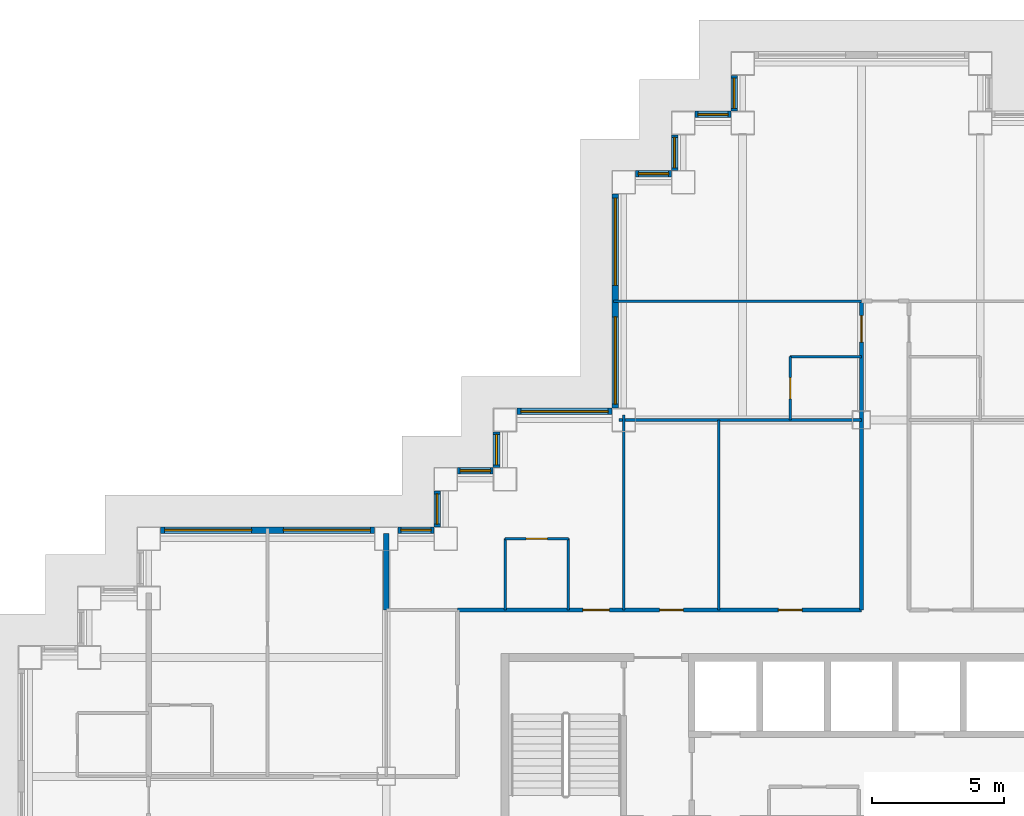
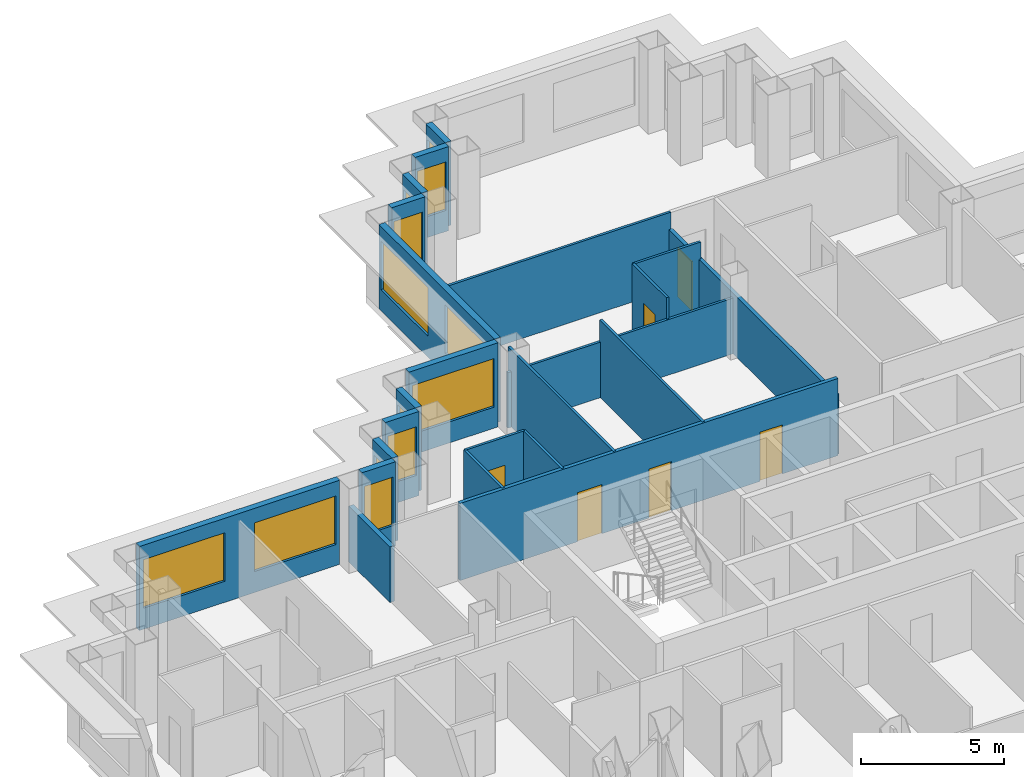
# One storey, part 8 of 15: 23 walls, 13 windows, 6 doors, 19 openings.
"""IFC4 building model written with IfcOpenShell, lengths in metres."""

from ifc_helpers import new_model, si_unit, direction, frame, frame_2d, origin, place, context, subcontext, project, spatial, rectangle, extrude, material, layer, layer_set, type_object, element, fill, save


model = new_model("IFC4")

# Units and contexts
model_context = context("Model", 3, precision=1e-05, world=origin(), true_north=direction((0.0, 1.0)))
body_context = subcontext(model_context, "Body", "Model", "MODEL_VIEW")
ifc_project = project(units=[si_unit("LENGTHUNIT", "METRE"), si_unit("AREAUNIT", "SQUARE_METRE"), si_unit("VOLUMEUNIT", "CUBIC_METRE"), si_unit("PLANEANGLEUNIT", "RADIAN"), si_unit("MASSUNIT", "GRAM", prefix="KILO")], contexts=[model_context])

# Site, building, storey
site_placement = place(None, origin())
site = spatial("IfcSite", under=ifc_project, at=site_placement, CompositionType="ELEMENT")
building_placement = place(site_placement, origin())
building = spatial("IfcBuilding", under=site, at=building_placement, Name="Caravel Reach Hotel and Residences", CompositionType="ELEMENT")
storey_placement = place(building_placement, frame((0.0, 0.0, 104.39990234375)))
storey = spatial("IfcBuildingStorey", under=building, at=storey_placement, Name="L25", CompositionType="ELEMENT", Elevation=104.39990234375)

# Wall, opening, door
ifc_material_1 = material(Name="Gypsum board on steel stud", Category="steel")
ifc_layer_1 = layer(ifc_material_1, 0.10009765625)
ifc_layer_set_1 = layer_set([ifc_layer_1], Name="Bathroom pod wall 100 mm")
wall_type_1 = type_object("IfcWallType", Name="Bathroom pod wall 100 mm", PredefinedType="PARTITIONING", material=ifc_layer_set_1)
wall_1_placement = place(storey_placement, frame((18.0, 36.0, 0.0), z_axis=(0.0, 0.0, 1.0), x_axis=(1.0, 0.0, 0.0)))
wall_1 = element("IfcWall", 1, at=wall_1_placement, inside=storey, type_object=wall_type_1, Name="L25 wall w092", PredefinedType="PARTITIONING", context=body_context, shape_type="SweptSolid", body=[
    extrude(rectangle(XDim=2.39990234375, YDim=0.10009765625, at=frame_2d((1.199951171875, 0.0))), origin(), (0.0, 0.0, 1.0), 3.300048828125),
])
opening_1_placement = place(wall_1_placement, frame((0.800048828125, 0.0, 0.0)))
opening_1 = element("IfcOpeningElement", 2, at=opening_1_placement, cuts=wall_1, Name="Opening D25-046", PredefinedType="OPENING", context=body_context, shape_type="SweptSolid", body=[
    extrude(rectangle(XDim=0.800048828125, YDim=2.10009765625, at=frame_2d((0.39990234375, 1.050048828125))), frame((0.0, 0.06005859375, 0.0), z_axis=(0.0, -1.0, 0.0), x_axis=(1.0, 0.0, 0.0)), (0.0, 0.0, 1.0), 0.1201171875),
])
ifc_material_2 = material(Name="Timber and steel door leaf", Category="steel")
door_type_1 = type_object("IfcDoorType", Name="Bathroom door 800 x 2100", OperationType="SINGLE_SWING_LEFT", PredefinedType="DOOR", material=ifc_material_2)
door_1_placement = place(opening_1_placement, origin())
door_1 = element("IfcDoor", 3, at=door_1_placement, inside=storey, type_object=door_type_1, Name="door D25-046", OperationType="SINGLE_SWING_LEFT", OverallHeight=2.10009765625, OverallWidth=0.800048828125, PredefinedType="DOOR", context=body_context, shape_type="SweptSolid", body=[
    extrude(rectangle(XDim=0.800048828125, YDim=2.10009765625, at=frame_2d((0.39990234375, 1.050048828125))), frame((0.0, 0.02490234375, 0.0), z_axis=(0.0, -1.0, 0.0), x_axis=(1.0, 0.0, 0.0)), (0.0, 0.0, 1.0), 0.050048828125),
])
fill(opening_1, door_1)

# Walls
for number, where, z_axis, x_axis, name in (
    (4, (28.800048828125, 42.89990234375, 0.0), (0.0, 0.0, 1.0), (1.0, 0.0, 0.0), "L25 wall w095"),
    (5, (18.0, 33.300048828125, 0.0), (0.0, 0.0, 1.0), (0.0, 1.0, 0.0), "L25 wall w100"),
    (6, (20.39990234375, 33.300048828125, 0.0), (0.0, 0.0, 1.0), (0.0, 1.0, 0.0), "L25 wall w102"),
):
    element("IfcWall", number, at=place(storey_placement, frame(where, z_axis=z_axis, x_axis=x_axis)), inside=storey, type_object=wall_type_1, Name=name, PredefinedType="PARTITIONING", context=body_context, shape_type="SweptSolid", body=[
        extrude(rectangle(XDim=2.699951171875, YDim=0.10009765625, at=frame_2d((1.35009765625, 0.0))), origin(), (0.0, 0.0, 1.0), 3.300048828125),
    ])

# Wall, opening, door
wall_2_placement = place(storey_placement, frame((28.800048828125, 40.5, 0.0), z_axis=(0.0, 0.0, 1.0), x_axis=(0.0, 1.0, 0.0)))
wall_2 = element("IfcWall", 7, at=wall_2_placement, inside=storey, type_object=wall_type_1, Name="L25 wall w106", PredefinedType="PARTITIONING", context=body_context, shape_type="SweptSolid", body=[
    extrude(rectangle(XDim=2.39990234375, YDim=0.10009765625, at=frame_2d((1.199951171875, 0.0))), origin(), (0.0, 0.0, 1.0), 3.300048828125),
])
opening_2_placement = place(wall_2_placement, frame((0.800048828125, 0.0, 0.0)))
opening_2 = element("IfcOpeningElement", 8, at=opening_2_placement, cuts=wall_2, Name="Opening D25-029", PredefinedType="OPENING", context=body_context, shape_type="SweptSolid", body=[
    extrude(rectangle(XDim=0.800048828125, YDim=2.10009765625, at=frame_2d((0.39990234375, 1.050048828125))), frame((0.0, 0.06005859375, 0.0), z_axis=(0.0, -1.0, 0.0), x_axis=(1.0, 0.0, 0.0)), (0.0, 0.0, 1.0), 0.1201171875),
])
door_2_placement = place(opening_2_placement, origin())
door_2 = element("IfcDoor", 9, at=door_2_placement, inside=storey, type_object=door_type_1, Name="door D25-029", OperationType="SINGLE_SWING_RIGHT", OverallHeight=2.10009765625, OverallWidth=0.800048828125, PredefinedType="DOOR", context=body_context, shape_type="SweptSolid", body=[
    extrude(rectangle(XDim=0.800048828125, YDim=2.10009765625, at=frame_2d((0.39990234375, 1.050048828125))), frame((0.0, 0.02490234375, 0.0), z_axis=(0.0, -1.0, 0.0), x_axis=(1.0, 0.0, 0.0)), (0.0, 0.0, 1.0), 0.050048828125),
])
fill(opening_2, door_2)

# Wall, openings, doors
ifc_material_3 = material(Name="Gypsum board on steel stud, fire-rated", Category="steel")
ifc_layer_2 = layer(ifc_material_3, 0.14990234375)
ifc_layer_set_2 = layer_set([ifc_layer_2], Name="Corridor wall 150 mm EI 60")
wall_type_2 = type_object("IfcWallType", Name="Corridor wall 150 mm EI 60", PredefinedType="PARTITIONING", material=ifc_layer_set_2)
wall_3_placement = place(storey_placement, frame((16.199951171875, 33.300048828125, 0.0), z_axis=(0.0, 0.0, 1.0), x_axis=(1.0, 0.0, 0.0)))
wall_3 = element("IfcWall", 10, at=wall_3_placement, inside=storey, type_object=wall_type_2, Name="L25 wall w018", PredefinedType="PARTITIONING", context=body_context, shape_type="SweptSolid", body=[
    extrude(rectangle(XDim=15.300048828125, YDim=0.14990234375, at=frame_2d((7.64990234375, 0.0))), origin(), (0.0, 0.0, 1.0), 3.300048828125),
])
opening_3_placement = place(wall_3_placement, frame((4.75, 0.0, 0.0)))
opening_3 = element("IfcOpeningElement", 11, at=opening_3_placement, cuts=wall_3, Name="Opening D25-045", PredefinedType="OPENING", context=body_context, shape_type="SweptSolid", body=[
    extrude(rectangle(XDim=1.0, YDim=2.10009765625, at=frame_2d((0.5, 1.050048828125))), frame((0.0, 0.0849609375, 0.0), z_axis=(0.0, -1.0, 0.0), x_axis=(1.0, 0.0, 0.0)), (0.0, 0.0, 1.0), 0.169921875),
])
opening_4_placement = place(wall_3_placement, frame((7.650146484375, 0.0, 0.0)))
opening_4 = element("IfcOpeningElement", 12, at=opening_4_placement, cuts=wall_3, Name="Opening D25-053", PredefinedType="OPENING", context=body_context, shape_type="SweptSolid", body=[
    extrude(rectangle(XDim=0.89990234375, YDim=2.10009765625, at=frame_2d((0.449951171875, 1.050048828125))), frame((0.0, 0.0849609375, 0.0), z_axis=(0.0, -1.0, 0.0), x_axis=(1.0, 0.0, 0.0)), (0.0, 0.0, 1.0), 0.169921875),
])
opening_5_placement = place(wall_3_placement, frame((12.14990234375, 0.0, 0.0)))
opening_5 = element("IfcOpeningElement", 13, at=opening_5_placement, cuts=wall_3, Name="Opening D25-054", PredefinedType="OPENING", context=body_context, shape_type="SweptSolid", body=[
    extrude(rectangle(XDim=0.89990234375, YDim=2.10009765625, at=frame_2d((0.449951171875, 1.050048828125))), frame((0.0, 0.0849609375, 0.0), z_axis=(0.0, -1.0, 0.0), x_axis=(1.0, 0.0, 0.0)), (0.0, 0.0, 1.0), 0.169921875),
])
ifc_material_4 = material(Name="Timber and steel door leaf", Category="steel")
door_type_2 = type_object("IfcDoorType", Name="Door 900 x 2100 timber", OperationType="SINGLE_SWING_LEFT", PredefinedType="DOOR", material=ifc_material_4)
door_3_placement = place(opening_4_placement, origin())
door_3 = element("IfcDoor", 14, at=door_3_placement, inside=storey, type_object=door_type_2, Name="door D25-053", OperationType="SINGLE_SWING_RIGHT", OverallHeight=2.10009765625, OverallWidth=0.89990234375, PredefinedType="DOOR", context=body_context, shape_type="SweptSolid", body=[
    extrude(rectangle(XDim=0.89990234375, YDim=2.10009765625, at=frame_2d((0.449951171875, 1.050048828125))), frame((0.0, 0.02490234375, 0.0), z_axis=(0.0, -1.0, 0.0), x_axis=(1.0, 0.0, 0.0)), (0.0, 0.0, 1.0), 0.050048828125),
])
fill(opening_4, door_3)
door_4_placement = place(opening_5_placement, origin())
door_4 = element("IfcDoor", 15, at=door_4_placement, inside=storey, type_object=door_type_2, Name="door D25-054", OperationType="SINGLE_SWING_LEFT", OverallHeight=2.10009765625, OverallWidth=0.89990234375, PredefinedType="DOOR", context=body_context, shape_type="SweptSolid", body=[
    extrude(rectangle(XDim=0.89990234375, YDim=2.10009765625, at=frame_2d((0.449951171875, 1.050048828125))), frame((0.0, 0.02490234375, 0.0), z_axis=(0.0, -1.0, 0.0), x_axis=(1.0, 0.0, 0.0)), (0.0, 0.0, 1.0), 0.050048828125),
])
fill(opening_5, door_4)
ifc_material_5 = material(Name="Steel fire door leaf", Category="steel")
door_type_3 = type_object("IfcDoorType", Name="Guest room door 1000 x 2100 EI 30", OperationType="SINGLE_SWING_LEFT", PredefinedType="DOOR", material=ifc_material_5)
door_5_placement = place(opening_3_placement, origin())
door_5 = element("IfcDoor", 16, at=door_5_placement, inside=storey, type_object=door_type_3, Name="door D25-045", OperationType="SINGLE_SWING_RIGHT", OverallHeight=2.10009765625, OverallWidth=1.0, PredefinedType="DOOR", context=body_context, shape_type="SweptSolid", body=[
    extrude(rectangle(XDim=1.0, YDim=2.10009765625, at=frame_2d((0.5, 1.050048828125))), frame((0.0, 0.02490234375, 0.0), z_axis=(0.0, -1.0, 0.0), x_axis=(1.0, 0.0, 0.0)), (0.0, 0.0, 1.0), 0.050048828125),
])
fill(opening_3, door_5)

# Wall, opening, door
wall_4_placement = place(storey_placement, frame((31.5, 33.300048828125, 0.0), z_axis=(0.0, 0.0, 1.0), x_axis=(0.0, 1.0, 0.0)))
wall_4 = element("IfcWall", 17, at=wall_4_placement, inside=storey, type_object=wall_type_2, Name="L25 wall w034", PredefinedType="PARTITIONING", context=body_context, shape_type="SweptSolid", body=[
    extrude(rectangle(XDim=11.699951171875, YDim=0.14990234375, at=frame_2d((5.85009765625, 0.0))), origin(), (0.0, 0.0, 1.0), 2.580078125),
])
opening_6_placement = place(wall_4_placement, frame((10.14990234375, 0.0, 0.0)))
opening_6 = element("IfcOpeningElement", 18, at=opening_6_placement, cuts=wall_4, Name="Opening D25-028", PredefinedType="OPENING", context=body_context, shape_type="SweptSolid", body=[
    extrude(rectangle(XDim=1.0, YDim=2.10009765625, at=frame_2d((0.5, 1.050048828125))), frame((0.0, 0.0849609375, 0.0), z_axis=(0.0, -1.0, 0.0), x_axis=(1.0, 0.0, 0.0)), (0.0, 0.0, 1.0), 0.169921875),
])
door_6_placement = place(opening_6_placement, origin())
door_6 = element("IfcDoor", 19, at=door_6_placement, inside=storey, type_object=door_type_3, Name="door D25-028", OperationType="SINGLE_SWING_RIGHT", OverallHeight=2.10009765625, OverallWidth=1.0, PredefinedType="DOOR", context=body_context, shape_type="SweptSolid", body=[
    extrude(rectangle(XDim=1.0, YDim=2.10009765625, at=frame_2d((0.5, 1.050048828125))), frame((0.0, 0.02490234375, 0.0), z_axis=(0.0, -1.0, 0.0), x_axis=(1.0, 0.0, 0.0)), (0.0, 0.0, 1.0), 0.050048828125),
])
fill(opening_6, door_6)

# Wall, opening, window
ifc_material_6 = material(Name="Insulated rainscreen wall, aluminium cladding", Category="aluminium")
ifc_layer_3 = layer(ifc_material_6, 0.25)
ifc_layer_set_3 = layer_set([ifc_layer_3], Name="EW1 Tower rainscreen wall")
wall_type_3 = type_object("IfcWallType", Name="EW1 Tower rainscreen wall", PredefinedType="SOLIDWALL", material=ifc_layer_set_3)
wall_5_placement = place(storey_placement, frame((26.675048828125, 53.550048828125, 0.0), z_axis=(0.0, 0.0, 1.0), x_axis=(0.0, -1.0, 0.0)))
wall_5 = element("IfcWall", 20, at=wall_5_placement, inside=storey, type_object=wall_type_3, Name="External wall L25 W36.1", PredefinedType="SOLIDWALL", context=body_context, shape_type="SweptSolid", body=[
    extrude(rectangle(XDim=1.35009765625, YDim=0.25, at=frame_2d((0.675048828125, 0.0))), origin(), (0.0, 0.0, 1.0), 3.60009765625),
])
opening_7_placement = place(wall_5_placement, frame((0.10009765625, 0.0, 0.89990234375)))
opening_7 = element("IfcOpeningElement", 21, at=opening_7_placement, cuts=wall_5, Name="Opening WN8", PredefinedType="OPENING", context=body_context, shape_type="SweptSolid", body=[
    extrude(rectangle(XDim=1.14990234375, YDim=2.080078125, at=frame_2d((0.574951171875, 1.0400390625))), frame((0.0, 0.135009765625, 0.0), z_axis=(0.0, -1.0, 0.0), x_axis=(1.0, 0.0, 0.0)), (0.0, 0.0, 1.0), 0.27001953125),
])
ifc_material_7 = material(Name="Dark low-e glazing in black aluminium frame", Category="aluminium")
window_type_1 = type_object("IfcWindowType", Name="Hotel suite corner window 1150 x 2080", PartitioningType="SINGLE_PANEL", PredefinedType="WINDOW", material=ifc_material_7)
window_1_placement = place(opening_7_placement, origin())
window_1 = element("IfcWindow", 22, at=window_1_placement, inside=storey, type_object=window_type_1, Name="Window L25 W36.1.1", OverallHeight=2.080078125, OverallWidth=1.14990234375, PartitioningType="SINGLE_PANEL", PredefinedType="WINDOW", context=body_context, shape_type="SweptSolid", body=[
    extrude(rectangle(XDim=1.14990234375, YDim=2.080078125, at=frame_2d((0.574951171875, 1.0400390625))), frame((0.0, 0.030029296875, 0.0), z_axis=(0.0, -1.0, 0.0), x_axis=(1.0, 0.0, 0.0)), (0.0, 0.0, 1.0), 0.06005859375),
])
fill(opening_7, window_1)

wall_6_placement = place(storey_placement, frame((26.550048828125, 52.074951171875, 0.0), z_axis=(0.0, 0.0, 1.0), x_axis=(-1.0, 0.0, 0.0)))
wall_6 = element("IfcWall", 23, at=wall_6_placement, inside=storey, type_object=wall_type_3, Name="External wall L25 N37.1", PredefinedType="SOLIDWALL", context=body_context, shape_type="SweptSolid", body=[
    extrude(rectangle(XDim=1.35009765625, YDim=0.25, at=frame_2d((0.675048828125, 0.0))), origin(), (0.0, 0.0, 1.0), 3.60009765625),
])
opening_8_placement = place(wall_6_placement, frame((0.10009765625, 0.0, 0.89990234375)))
opening_8 = element("IfcOpeningElement", 24, at=opening_8_placement, cuts=wall_6, Name="Opening WN8", PredefinedType="OPENING", context=body_context, shape_type="SweptSolid", body=[
    extrude(rectangle(XDim=1.14990234375, YDim=2.080078125, at=frame_2d((0.574951171875, 1.0400390625))), frame((0.0, 0.135009765625, 0.0), z_axis=(0.0, -1.0, 0.0), x_axis=(1.0, 0.0, 0.0)), (0.0, 0.0, 1.0), 0.27001953125),
])
window_2_placement = place(opening_8_placement, origin())
window_2 = element("IfcWindow", 25, at=window_2_placement, inside=storey, type_object=window_type_1, Name="Window L25 N37.1.1", OverallHeight=2.080078125, OverallWidth=1.14990234375, PartitioningType="SINGLE_PANEL", PredefinedType="WINDOW", context=body_context, shape_type="SweptSolid", body=[
    extrude(rectangle(XDim=1.14990234375, YDim=2.080078125, at=frame_2d((0.574951171875, 1.0400390625))), frame((0.0, 0.030029296875, 0.0), z_axis=(0.0, -1.0, 0.0), x_axis=(1.0, 0.0, 0.0)), (0.0, 0.0, 1.0), 0.06005859375),
])
fill(opening_8, window_2)

wall_7_placement = place(storey_placement, frame((24.425048828125, 51.300048828125, 0.0), z_axis=(0.0, 0.0, 1.0), x_axis=(0.0, -1.0, 0.0)))
wall_7 = element("IfcWall", 26, at=wall_7_placement, inside=storey, type_object=wall_type_3, Name="External wall L25 W38.1", PredefinedType="SOLIDWALL", context=body_context, shape_type="SweptSolid", body=[
    extrude(rectangle(XDim=1.35009765625, YDim=0.25, at=frame_2d((0.675048828125, 0.0))), origin(), (0.0, 0.0, 1.0), 3.60009765625),
])
opening_9_placement = place(wall_7_placement, frame((0.10009765625, 0.0, 0.89990234375)))
opening_9 = element("IfcOpeningElement", 27, at=opening_9_placement, cuts=wall_7, Name="Opening WN8", PredefinedType="OPENING", context=body_context, shape_type="SweptSolid", body=[
    extrude(rectangle(XDim=1.14990234375, YDim=2.080078125, at=frame_2d((0.574951171875, 1.0400390625))), frame((0.0, 0.135009765625, 0.0), z_axis=(0.0, -1.0, 0.0), x_axis=(1.0, 0.0, 0.0)), (0.0, 0.0, 1.0), 0.27001953125),
])
window_3_placement = place(opening_9_placement, origin())
window_3 = element("IfcWindow", 28, at=window_3_placement, inside=storey, type_object=window_type_1, Name="Window L25 W38.1.1", OverallHeight=2.080078125, OverallWidth=1.14990234375, PartitioningType="SINGLE_PANEL", PredefinedType="WINDOW", context=body_context, shape_type="SweptSolid", body=[
    extrude(rectangle(XDim=1.14990234375, YDim=2.080078125, at=frame_2d((0.574951171875, 1.0400390625))), frame((0.0, 0.030029296875, 0.0), z_axis=(0.0, -1.0, 0.0), x_axis=(1.0, 0.0, 0.0)), (0.0, 0.0, 1.0), 0.06005859375),
])
fill(opening_9, window_3)

wall_8_placement = place(storey_placement, frame((24.300048828125, 49.824951171875, 0.0), z_axis=(0.0, 0.0, 1.0), x_axis=(-1.0, 0.0, 0.0)))
wall_8 = element("IfcWall", 29, at=wall_8_placement, inside=storey, type_object=wall_type_3, Name="External wall L25 N39.1", PredefinedType="SOLIDWALL", context=body_context, shape_type="SweptSolid", body=[
    extrude(rectangle(XDim=1.35009765625, YDim=0.25, at=frame_2d((0.675048828125, 0.0))), origin(), (0.0, 0.0, 1.0), 3.60009765625),
])
opening_10_placement = place(wall_8_placement, frame((0.10009765625, 0.0, 0.89990234375)))
opening_10 = element("IfcOpeningElement", 30, at=opening_10_placement, cuts=wall_8, Name="Opening WN8", PredefinedType="OPENING", context=body_context, shape_type="SweptSolid", body=[
    extrude(rectangle(XDim=1.14990234375, YDim=2.080078125, at=frame_2d((0.574951171875, 1.0400390625))), frame((0.0, 0.135009765625, 0.0), z_axis=(0.0, -1.0, 0.0), x_axis=(1.0, 0.0, 0.0)), (0.0, 0.0, 1.0), 0.27001953125),
])
window_4_placement = place(opening_10_placement, origin())
window_4 = element("IfcWindow", 31, at=window_4_placement, inside=storey, type_object=window_type_1, Name="Window L25 N39.1.1", OverallHeight=2.080078125, OverallWidth=1.14990234375, PartitioningType="SINGLE_PANEL", PredefinedType="WINDOW", context=body_context, shape_type="SweptSolid", body=[
    extrude(rectangle(XDim=1.14990234375, YDim=2.080078125, at=frame_2d((0.574951171875, 1.0400390625))), frame((0.0, 0.030029296875, 0.0), z_axis=(0.0, -1.0, 0.0), x_axis=(1.0, 0.0, 0.0)), (0.0, 0.0, 1.0), 0.06005859375),
])
fill(opening_10, window_4)

# Wall, openings, windows
wall_9_placement = place(storey_placement, frame((22.175048828125, 49.050048828125, 0.0), z_axis=(0.0, 0.0, 1.0), x_axis=(0.0, -1.0, 0.0)))
wall_9 = element("IfcWall", 32, at=wall_9_placement, inside=storey, type_object=wall_type_3, Name="External wall L25 W40.1", PredefinedType="SOLIDWALL", context=body_context, shape_type="SweptSolid", body=[
    extrude(rectangle(XDim=8.10009765625, YDim=0.25, at=frame_2d((4.050048828125, 0.0))), origin(), (0.0, 0.0, 1.0), 3.60009765625),
])
opening_11_placement = place(wall_9_placement, frame((0.14990234375, 0.0, 0.89990234375)))
opening_11 = element("IfcOpeningElement", 33, at=opening_11_placement, cuts=wall_9, Name="Opening WN4", PredefinedType="OPENING", context=body_context, shape_type="SweptSolid", body=[
    extrude(rectangle(XDim=3.300048828125, YDim=2.080078125, at=frame_2d((1.64990234375, 1.0400390625))), frame((0.0, 0.135009765625, 0.0), z_axis=(0.0, -1.0, 0.0), x_axis=(1.0, 0.0, 0.0)), (0.0, 0.0, 1.0), 0.27001953125),
])
opening_12_placement = place(wall_9_placement, frame((4.64990234375, 0.0, 0.89990234375)))
opening_12 = element("IfcOpeningElement", 34, at=opening_12_placement, cuts=wall_9, Name="Opening WN4", PredefinedType="OPENING", context=body_context, shape_type="SweptSolid", body=[
    extrude(rectangle(XDim=3.300048828125, YDim=2.080078125, at=frame_2d((1.64990234375, 1.0400390625))), frame((0.0, 0.135009765625, 0.0), z_axis=(0.0, -1.0, 0.0), x_axis=(1.0, 0.0, 0.0)), (0.0, 0.0, 1.0), 0.27001953125),
])
ifc_material_8 = material(Name="Dark low-e glazing in black aluminium frame", Category="aluminium")
window_type_2 = type_object("IfcWindowType", Name="Hotel guest room window 3300 x 2080", PartitioningType="SINGLE_PANEL", PredefinedType="WINDOW", material=ifc_material_8)
window_5_placement = place(opening_11_placement, origin())
window_5 = element("IfcWindow", 35, at=window_5_placement, inside=storey, type_object=window_type_2, Name="Window L25 W40.1.1", OverallHeight=2.080078125, OverallWidth=3.300048828125, PartitioningType="SINGLE_PANEL", PredefinedType="WINDOW", context=body_context, shape_type="SweptSolid", body=[
    extrude(rectangle(XDim=3.300048828125, YDim=2.080078125, at=frame_2d((1.64990234375, 1.0400390625))), frame((0.0, 0.030029296875, 0.0), z_axis=(0.0, -1.0, 0.0), x_axis=(1.0, 0.0, 0.0)), (0.0, 0.0, 1.0), 0.06005859375),
])
fill(opening_11, window_5)
window_6_placement = place(opening_12_placement, origin())
window_6 = element("IfcWindow", 36, at=window_6_placement, inside=storey, type_object=window_type_2, Name="Window L25 W40.1.2", OverallHeight=2.080078125, OverallWidth=3.300048828125, PartitioningType="SINGLE_PANEL", PredefinedType="WINDOW", context=body_context, shape_type="SweptSolid", body=[
    extrude(rectangle(XDim=3.300048828125, YDim=2.080078125, at=frame_2d((1.64990234375, 1.0400390625))), frame((0.0, 0.030029296875, 0.0), z_axis=(0.0, -1.0, 0.0), x_axis=(1.0, 0.0, 0.0)), (0.0, 0.0, 1.0), 0.06005859375),
])
fill(opening_12, window_6)

# Wall, opening, window
wall_10_placement = place(storey_placement, frame((22.050048828125, 40.824951171875, 0.0), z_axis=(0.0, 0.0, 1.0), x_axis=(-1.0, 0.0, 0.0)))
wall_10 = element("IfcWall", 37, at=wall_10_placement, inside=storey, type_object=wall_type_3, Name="External wall L25 N41.1", PredefinedType="SOLIDWALL", context=body_context, shape_type="SweptSolid", body=[
    extrude(rectangle(XDim=3.60009765625, YDim=0.25, at=frame_2d((1.800048828125, 0.0))), origin(), (0.0, 0.0, 1.0), 3.60009765625),
])
opening_13_placement = place(wall_10_placement, frame((0.14990234375, 0.0, 0.89990234375)))
opening_13 = element("IfcOpeningElement", 38, at=opening_13_placement, cuts=wall_10, Name="Opening WN4", PredefinedType="OPENING", context=body_context, shape_type="SweptSolid", body=[
    extrude(rectangle(XDim=3.300048828125, YDim=2.080078125, at=frame_2d((1.64990234375, 1.0400390625))), frame((0.0, 0.135009765625, 0.0), z_axis=(0.0, -1.0, 0.0), x_axis=(1.0, 0.0, 0.0)), (0.0, 0.0, 1.0), 0.27001953125),
])
window_7_placement = place(opening_13_placement, origin())
window_7 = element("IfcWindow", 39, at=window_7_placement, inside=storey, type_object=window_type_2, Name="Window L25 N41.1.1", OverallHeight=2.080078125, OverallWidth=3.300048828125, PartitioningType="SINGLE_PANEL", PredefinedType="WINDOW", context=body_context, shape_type="SweptSolid", body=[
    extrude(rectangle(XDim=3.300048828125, YDim=2.080078125, at=frame_2d((1.64990234375, 1.0400390625))), frame((0.0, 0.030029296875, 0.0), z_axis=(0.0, -1.0, 0.0), x_axis=(1.0, 0.0, 0.0)), (0.0, 0.0, 1.0), 0.06005859375),
])
fill(opening_13, window_7)

wall_11_placement = place(storey_placement, frame((17.675048828125, 40.050048828125, 0.0), z_axis=(0.0, 0.0, 1.0), x_axis=(0.0, -1.0, 0.0)))
wall_11 = element("IfcWall", 40, at=wall_11_placement, inside=storey, type_object=wall_type_3, Name="External wall L25 W42.1", PredefinedType="SOLIDWALL", context=body_context, shape_type="SweptSolid", body=[
    extrude(rectangle(XDim=1.35009765625, YDim=0.25, at=frame_2d((0.675048828125, 0.0))), origin(), (0.0, 0.0, 1.0), 3.60009765625),
])
opening_14_placement = place(wall_11_placement, frame((0.10009765625, 0.0, 0.89990234375)))
opening_14 = element("IfcOpeningElement", 41, at=opening_14_placement, cuts=wall_11, Name="Opening WN8", PredefinedType="OPENING", context=body_context, shape_type="SweptSolid", body=[
    extrude(rectangle(XDim=1.14990234375, YDim=2.080078125, at=frame_2d((0.574951171875, 1.0400390625))), frame((0.0, 0.135009765625, 0.0), z_axis=(0.0, -1.0, 0.0), x_axis=(1.0, 0.0, 0.0)), (0.0, 0.0, 1.0), 0.27001953125),
])
window_8_placement = place(opening_14_placement, origin())
window_8 = element("IfcWindow", 42, at=window_8_placement, inside=storey, type_object=window_type_1, Name="Window L25 W42.1.1", OverallHeight=2.080078125, OverallWidth=1.14990234375, PartitioningType="SINGLE_PANEL", PredefinedType="WINDOW", context=body_context, shape_type="SweptSolid", body=[
    extrude(rectangle(XDim=1.14990234375, YDim=2.080078125, at=frame_2d((0.574951171875, 1.0400390625))), frame((0.0, 0.030029296875, 0.0), z_axis=(0.0, -1.0, 0.0), x_axis=(1.0, 0.0, 0.0)), (0.0, 0.0, 1.0), 0.06005859375),
])
fill(opening_14, window_8)

wall_12_placement = place(storey_placement, frame((17.550048828125, 38.574951171875, 0.0), z_axis=(0.0, 0.0, 1.0), x_axis=(-1.0, 0.0, 0.0)))
wall_12 = element("IfcWall", 43, at=wall_12_placement, inside=storey, type_object=wall_type_3, Name="External wall L25 N43.1", PredefinedType="SOLIDWALL", context=body_context, shape_type="SweptSolid", body=[
    extrude(rectangle(XDim=1.35009765625, YDim=0.25, at=frame_2d((0.675048828125, 0.0))), origin(), (0.0, 0.0, 1.0), 3.60009765625),
])
opening_15_placement = place(wall_12_placement, frame((0.10009765625, 0.0, 0.89990234375)))
opening_15 = element("IfcOpeningElement", 44, at=opening_15_placement, cuts=wall_12, Name="Opening WN8", PredefinedType="OPENING", context=body_context, shape_type="SweptSolid", body=[
    extrude(rectangle(XDim=1.14990234375, YDim=2.080078125, at=frame_2d((0.574951171875, 1.0400390625))), frame((0.0, 0.135009765625, 0.0), z_axis=(0.0, -1.0, 0.0), x_axis=(1.0, 0.0, 0.0)), (0.0, 0.0, 1.0), 0.27001953125),
])
window_9_placement = place(opening_15_placement, origin())
window_9 = element("IfcWindow", 45, at=window_9_placement, inside=storey, type_object=window_type_1, Name="Window L25 N43.1.1", OverallHeight=2.080078125, OverallWidth=1.14990234375, PartitioningType="SINGLE_PANEL", PredefinedType="WINDOW", context=body_context, shape_type="SweptSolid", body=[
    extrude(rectangle(XDim=1.14990234375, YDim=2.080078125, at=frame_2d((0.574951171875, 1.0400390625))), frame((0.0, 0.030029296875, 0.0), z_axis=(0.0, -1.0, 0.0), x_axis=(1.0, 0.0, 0.0)), (0.0, 0.0, 1.0), 0.06005859375),
])
fill(opening_15, window_9)

wall_13_placement = place(storey_placement, frame((15.425048828125, 37.800048828125, 0.0), z_axis=(0.0, 0.0, 1.0), x_axis=(0.0, -1.0, 0.0)))
wall_13 = element("IfcWall", 46, at=wall_13_placement, inside=storey, type_object=wall_type_3, Name="External wall L25 W44.1", PredefinedType="SOLIDWALL", context=body_context, shape_type="SweptSolid", body=[
    extrude(rectangle(XDim=1.35009765625, YDim=0.25, at=frame_2d((0.675048828125, 0.0))), origin(), (0.0, 0.0, 1.0), 3.60009765625),
])
opening_16_placement = place(wall_13_placement, frame((0.10009765625, 0.0, 0.89990234375)))
opening_16 = element("IfcOpeningElement", 47, at=opening_16_placement, cuts=wall_13, Name="Opening WN8", PredefinedType="OPENING", context=body_context, shape_type="SweptSolid", body=[
    extrude(rectangle(XDim=1.14990234375, YDim=2.080078125, at=frame_2d((0.574951171875, 1.0400390625))), frame((0.0, 0.135009765625, 0.0), z_axis=(0.0, -1.0, 0.0), x_axis=(1.0, 0.0, 0.0)), (0.0, 0.0, 1.0), 0.27001953125),
])
window_10_placement = place(opening_16_placement, origin())
window_10 = element("IfcWindow", 48, at=window_10_placement, inside=storey, type_object=window_type_1, Name="Window L25 W44.1.1", OverallHeight=2.080078125, OverallWidth=1.14990234375, PartitioningType="SINGLE_PANEL", PredefinedType="WINDOW", context=body_context, shape_type="SweptSolid", body=[
    extrude(rectangle(XDim=1.14990234375, YDim=2.080078125, at=frame_2d((0.574951171875, 1.0400390625))), frame((0.0, 0.030029296875, 0.0), z_axis=(0.0, -1.0, 0.0), x_axis=(1.0, 0.0, 0.0)), (0.0, 0.0, 1.0), 0.06005859375),
])
fill(opening_16, window_10)

wall_14_placement = place(storey_placement, frame((15.300048828125, 36.324951171875, 0.0), z_axis=(0.0, 0.0, 1.0), x_axis=(-1.0, 0.0, 0.0)))
wall_14 = element("IfcWall", 49, at=wall_14_placement, inside=storey, type_object=wall_type_3, Name="External wall L25 N45.1", PredefinedType="SOLIDWALL", context=body_context, shape_type="SweptSolid", body=[
    extrude(rectangle(XDim=1.35009765625, YDim=0.25, at=frame_2d((0.675048828125, 0.0))), origin(), (0.0, 0.0, 1.0), 3.60009765625),
])
opening_17_placement = place(wall_14_placement, frame((0.10009765625, 0.0, 0.89990234375)))
opening_17 = element("IfcOpeningElement", 50, at=opening_17_placement, cuts=wall_14, Name="Opening WN8", PredefinedType="OPENING", context=body_context, shape_type="SweptSolid", body=[
    extrude(rectangle(XDim=1.14990234375, YDim=2.080078125, at=frame_2d((0.574951171875, 1.0400390625))), frame((0.0, 0.135009765625, 0.0), z_axis=(0.0, -1.0, 0.0), x_axis=(1.0, 0.0, 0.0)), (0.0, 0.0, 1.0), 0.27001953125),
])
window_11_placement = place(opening_17_placement, origin())
window_11 = element("IfcWindow", 51, at=window_11_placement, inside=storey, type_object=window_type_1, Name="Window L25 N45.1.1", OverallHeight=2.080078125, OverallWidth=1.14990234375, PartitioningType="SINGLE_PANEL", PredefinedType="WINDOW", context=body_context, shape_type="SweptSolid", body=[
    extrude(rectangle(XDim=1.14990234375, YDim=2.080078125, at=frame_2d((0.574951171875, 1.0400390625))), frame((0.0, 0.030029296875, 0.0), z_axis=(0.0, -1.0, 0.0), x_axis=(1.0, 0.0, 0.0)), (0.0, 0.0, 1.0), 0.06005859375),
])
fill(opening_17, window_11)

# Wall, openings, windows
wall_15_placement = place(storey_placement, frame((13.050048828125, 36.324951171875, 0.0), z_axis=(0.0, 0.0, 1.0), x_axis=(-1.0, 0.0, 0.0)))
wall_15 = element("IfcWall", 52, at=wall_15_placement, inside=storey, type_object=wall_type_3, Name="External wall L25 N45.2", PredefinedType="SOLIDWALL", context=body_context, shape_type="SweptSolid", body=[
    extrude(rectangle(XDim=8.10009765625, YDim=0.25, at=frame_2d((4.050048828125, 0.0))), origin(), (0.0, 0.0, 1.0), 3.60009765625),
])
opening_18_placement = place(wall_15_placement, frame((0.14990234375, 0.0, 0.89990234375)))
opening_18 = element("IfcOpeningElement", 53, at=opening_18_placement, cuts=wall_15, Name="Opening WN4", PredefinedType="OPENING", context=body_context, shape_type="SweptSolid", body=[
    extrude(rectangle(XDim=3.300048828125, YDim=2.080078125, at=frame_2d((1.64990234375, 1.0400390625))), frame((0.0, 0.135009765625, 0.0), z_axis=(0.0, -1.0, 0.0), x_axis=(1.0, 0.0, 0.0)), (0.0, 0.0, 1.0), 0.27001953125),
])
opening_19_placement = place(wall_15_placement, frame((4.64990234375, 0.0, 0.89990234375)))
opening_19 = element("IfcOpeningElement", 54, at=opening_19_placement, cuts=wall_15, Name="Opening WN4", PredefinedType="OPENING", context=body_context, shape_type="SweptSolid", body=[
    extrude(rectangle(XDim=3.300048828125, YDim=2.080078125, at=frame_2d((1.64990234375, 1.0400390625))), frame((0.0, 0.135009765625, 0.0), z_axis=(0.0, -1.0, 0.0), x_axis=(1.0, 0.0, 0.0)), (0.0, 0.0, 1.0), 0.27001953125),
])
window_12_placement = place(opening_18_placement, origin())
window_12 = element("IfcWindow", 55, at=window_12_placement, inside=storey, type_object=window_type_2, Name="Window L25 N45.2.1", OverallHeight=2.080078125, OverallWidth=3.300048828125, PartitioningType="SINGLE_PANEL", PredefinedType="WINDOW", context=body_context, shape_type="SweptSolid", body=[
    extrude(rectangle(XDim=3.300048828125, YDim=2.080078125, at=frame_2d((1.64990234375, 1.0400390625))), frame((0.0, 0.030029296875, 0.0), z_axis=(0.0, -1.0, 0.0), x_axis=(1.0, 0.0, 0.0)), (0.0, 0.0, 1.0), 0.06005859375),
])
fill(opening_18, window_12)
window_13_placement = place(opening_19_placement, origin())
window_13 = element("IfcWindow", 56, at=window_13_placement, inside=storey, type_object=window_type_2, Name="Window L25 N45.2.2", OverallHeight=2.080078125, OverallWidth=3.300048828125, PartitioningType="SINGLE_PANEL", PredefinedType="WINDOW", context=body_context, shape_type="SweptSolid", body=[
    extrude(rectangle(XDim=3.300048828125, YDim=2.080078125, at=frame_2d((1.64990234375, 1.0400390625))), frame((0.0, 0.030029296875, 0.0), z_axis=(0.0, -1.0, 0.0), x_axis=(1.0, 0.0, 0.0)), (0.0, 0.0, 1.0), 0.06005859375),
])
fill(opening_19, window_13)

# Walls
ifc_material_9 = material(Name="Gypsum board on steel stud", Category="steel")
ifc_layer_4 = layer(ifc_material_9, 0.10009765625)
ifc_layer_set_4 = layer_set([ifc_layer_4], Name="Partition 100 mm")
wall_type_4 = type_object("IfcWallType", Name="Partition 100 mm", PredefinedType="PARTITIONING", material=ifc_layer_set_4)
wall_16_placement = place(storey_placement, frame((22.31005859375, 40.5, 0.0), z_axis=(0.0, 0.0, 1.0), x_axis=(1.0, 0.0, 0.0)))
element("IfcWall", 57, at=wall_16_placement, inside=storey, type_object=wall_type_4, Name="L25 wall w051", PredefinedType="PARTITIONING", context=body_context, shape_type="SweptSolid", body=[
    extrude(rectangle(XDim=9.18994140625, YDim=0.10009765625, at=frame_2d((4.594970703125, 0.0))), origin(), (0.0, 0.0, 1.0), 2.380126953125),
])
wall_17_placement = place(storey_placement, frame((22.110107421875, 45.0, 0.0), z_axis=(0.0, 0.0, 1.0), x_axis=(1.0, 0.0, 0.0)))
element("IfcWall", 58, at=wall_17_placement, inside=storey, type_object=wall_type_4, Name="L25 wall w054", PredefinedType="PARTITIONING", context=body_context, shape_type="SweptSolid", body=[
    extrude(rectangle(XDim=9.389892578125, YDim=0.10009765625, at=frame_2d((4.69482421875, 0.0))), origin(), (0.0, 0.0, 1.0), 3.300048828125),
])
wall_18_placement = place(storey_placement, frame((22.5, 33.300048828125, 0.0), z_axis=(0.0, 0.0, 1.0), x_axis=(0.0, 1.0, 0.0)))
element("IfcWall", 59, at=wall_18_placement, inside=storey, type_object=wall_type_4, Name="L25 wall w058", PredefinedType="PARTITIONING", context=body_context, shape_type="SweptSolid", body=[
    extrude(rectangle(XDim=7.389892578125, YDim=0.10009765625, at=frame_2d((3.69482421875, 0.0))), origin(), (0.0, 0.0, 1.0), 3.300048828125),
])
wall_19_placement = place(storey_placement, frame((26.10009765625, 33.300048828125, 0.0), z_axis=(0.0, 0.0, 1.0), x_axis=(0.0, 1.0, 0.0)))
element("IfcWall", 60, at=wall_19_placement, inside=storey, type_object=wall_type_4, Name="L25 wall w061", PredefinedType="PARTITIONING", context=body_context, shape_type="SweptSolid", body=[
    extrude(rectangle(XDim=7.199951171875, YDim=0.10009765625, at=frame_2d((3.60009765625, 0.0))), origin(), (0.0, 0.0, 1.0), 3.300048828125),
])
ifc_material_10 = material(Name="Autoclaved aerated block wall")
ifc_layer_5 = layer(ifc_material_10, 0.199951171875)
ifc_layer_set_5 = layer_set([ifc_layer_5], Name="Party wall 200 mm EI 60")
wall_type_5 = type_object("IfcWallType", Name="Party wall 200 mm EI 60", PredefinedType="PARTITIONING", material=ifc_layer_set_5)
wall_20_placement = place(storey_placement, frame((13.5, 33.300048828125, 0.0), z_axis=(0.0, 0.0, 1.0), x_axis=(0.0, 1.0, 0.0)))
element("IfcWall", 61, at=wall_20_placement, inside=storey, type_object=wall_type_5, Name="L25 wall w075", PredefinedType="PARTITIONING", context=body_context, shape_type="SweptSolid", body=[
    extrude(rectangle(XDim=2.889892578125, YDim=0.199951171875, at=frame_2d((1.44482421875, 0.0))), origin(), (0.0, 0.0, 1.0), 2.380126953125),
])

save(model, "model.ifc")
